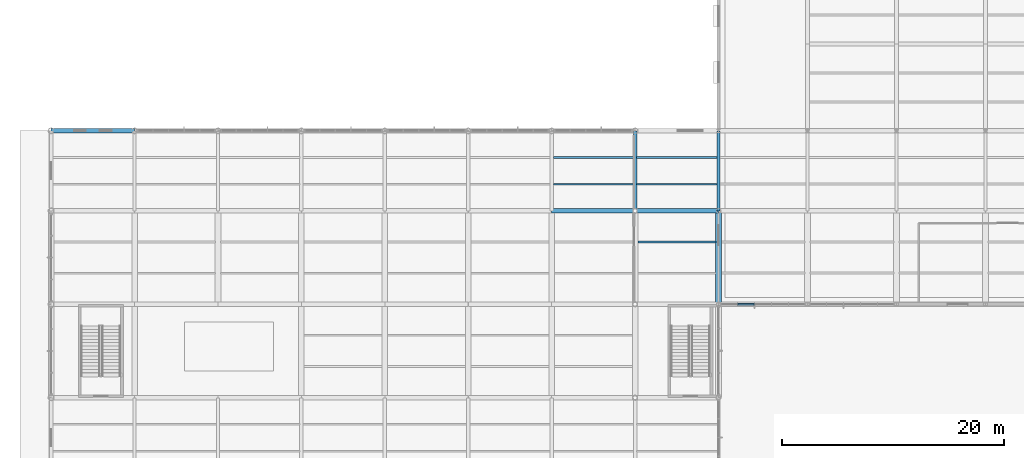
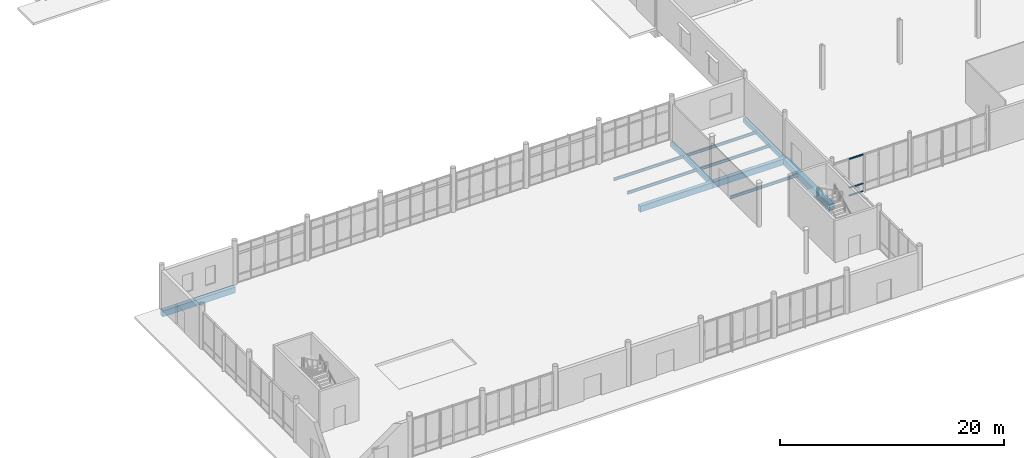
# One storey, part 19 of 82: 11 beams, 3 members, 1 element without a shape of its own.
"""IFC4 building model written with IfcOpenShell, lengths in metres."""

from ifc_helpers import new_model, si_unit, direction, frame, origin, origin_2d, place, context, subcontext, project, spatial, rectangle, i_section, extrude, material, layer, layer_set, material_profile, profile_set, type_object, element, aggregate, save


model = new_model("IFC4")

# Units and contexts
model_context = context("Model", 3, precision=1e-05, world=origin(), true_north=direction((0.0, 1.0)))
body_context = subcontext(model_context, "Body", "Model", "MODEL_VIEW")
ifc_project = project(units=[si_unit("LENGTHUNIT", "METRE"), si_unit("AREAUNIT", "SQUARE_METRE"), si_unit("VOLUMEUNIT", "CUBIC_METRE"), si_unit("PLANEANGLEUNIT", "RADIAN"), si_unit("MASSUNIT", "GRAM", prefix="KILO")], contexts=[model_context])

# Site, building, storey
site_placement = place(None, origin())
site = spatial("IfcSite", under=ifc_project, at=site_placement, CompositionType="ELEMENT")
building_placement = place(site_placement, origin())
building = spatial("IfcBuilding", under=site, at=building_placement, Name="Yukiwa Park Conservatory and Herbarium", CompositionType="ELEMENT")
storey_placement = place(building_placement, origin())
storey = spatial("IfcBuildingStorey", under=building, at=storey_placement, Name="L00", CompositionType="ELEMENT", Elevation=0.0)

# Beams
ifc_material_1 = material(Name="Steel Q355D", Category="steel")
ifc_material_profile_1 = material_profile(ifc_material_1, i_section(OverallWidth=0.14892578125, OverallDepth=0.298095703125, WebThickness=0.005615234375, FlangeThickness=0.008056640625, FilletRadius=0.012939453125, at=origin_2d()), Name="HN 298x149x5.5x8")
ifc_profile_set_1 = profile_set([ifc_material_profile_1], Name="Steel Q355D")
beam_type_1 = type_object("IfcBeamType", Name="BM-JST-HN298", PredefinedType="JOIST", material=ifc_profile_set_1)
for number, where, z_axis, x_axis, name in (
    (1, (45.14599609375, 26.39990234375, -0.408935546875), (1.0, 0.0, 0.0), (0.0, 1.0, 0.0), "L00 composite floor joist 71"),
    (2, (45.14599609375, 28.800048828125, -0.408935546875), (1.0, 0.0, 0.0), (0.0, 1.0, 0.0), "L00 composite floor joist 72"),
):
    element("IfcBeam", number, at=place(storey_placement, frame(where, z_axis=z_axis, x_axis=x_axis)), inside=storey, type_object=beam_type_1, Name=name, PredefinedType="JOIST", context=body_context, shape_type="SweptSolid", body=[
        extrude(i_section(OverallWidth=0.14892578125, OverallDepth=0.298095703125, WebThickness=0.005615234375, FlangeThickness=0.008056640625, FilletRadius=0.012939453125, at=origin_2d()), origin(), (0.0, 0.0, 1.0), 7.2080078125),
    ])
beam_1_placement = place(storey_placement, frame((52.74609375, 21.199951171875, -0.408935546875), z_axis=(1.0, 0.0, 0.0), x_axis=(0.0, 1.0, 0.0)))
element("IfcBeam", 3, at=beam_1_placement, inside=storey, type_object=beam_type_1, Name="L00 composite floor joist 82", PredefinedType="JOIST", context=body_context, shape_type="SweptSolid", body=[
    extrude(i_section(OverallWidth=0.14892578125, OverallDepth=0.298095703125, WebThickness=0.005615234375, FlangeThickness=0.008056640625, FilletRadius=0.012939453125, at=origin_2d()), origin(), (0.0, 0.0, 1.0), 7.0078125),
])
for number, where, z_axis, x_axis, name in (
    (4, (52.64599609375, 26.39990234375, -0.408935546875), (1.0, 0.0, 0.0), (0.0, 1.0, 0.0), "L00 composite floor joist 83"),
    (5, (52.64599609375, 28.800048828125, -0.408935546875), (1.0, 0.0, 0.0), (0.0, 1.0, 0.0), "L00 composite floor joist 84"),
):
    element("IfcBeam", number, at=place(storey_placement, frame(where, z_axis=z_axis, x_axis=x_axis)), inside=storey, type_object=beam_type_1, Name=name, PredefinedType="JOIST", context=body_context, shape_type="SweptSolid", body=[
        extrude(i_section(OverallWidth=0.14892578125, OverallDepth=0.298095703125, WebThickness=0.005615234375, FlangeThickness=0.008056640625, FilletRadius=0.012939453125, at=origin_2d()), origin(), (0.0, 0.0, 1.0), 7.2080078125),
    ])
ifc_material_2 = material(Name="Concrete C40", Category="concrete")
ifc_material_profile_2 = material_profile(ifc_material_2, rectangle(XDim=0.300048828125, YDim=0.5, at=origin_2d()), Name="RC 300x500")
ifc_profile_set_2 = profile_set([ifc_material_profile_2], Name="Concrete C40")
beam_type_2 = type_object("IfcBeamType", Name="BM-RC-300X500", PredefinedType="BEAM", material=ifc_profile_set_2)
for number, where, z_axis, x_axis, name in (
    (6, (52.5, 24.006103515625, -0.510009765625), (0.0, 1.0, 0.0), (-1.0, 0.0, 0.0), "L00 grid girder Y-204"),
    (7, (60.0, 24.006103515625, -0.510009765625), (0.0, 1.0, 0.0), (-1.0, 0.0, 0.0), "L00 grid girder Y-212"),
):
    element("IfcBeam", number, at=place(storey_placement, frame(where, z_axis=z_axis, x_axis=x_axis)), inside=storey, type_object=beam_type_2, Name=name, PredefinedType="BEAM", context=body_context, shape_type="SweptSolid", body=[
        extrude(rectangle(XDim=0.300048828125, YDim=0.5, at=origin_2d()), origin(), (0.0, 0.0, 1.0), 7.18798828125),
    ])
ifc_material_3 = material(Name="Concrete C40", Category="concrete")
ifc_material_profile_3 = material_profile(ifc_material_3, rectangle(XDim=0.39990234375, YDim=0.64990234375, at=origin_2d()), Name="RC 400x650")
ifc_profile_set_3 = profile_set([ifc_material_profile_3], Name="Concrete C40")
beam_type_3 = type_object("IfcBeamType", Name="BM-RC-400X650", PredefinedType="BEAM", material=ifc_profile_set_3)
for number, where, z_axis, x_axis, name in (
    (8, (45.006103515625, 24.0, -0.5849609375), (1.0, 0.0, 0.0), (0.0, 1.0, 0.0), "L00 grid beam X-37"),
    (9, (52.506103515625, 24.0, -0.5849609375), (1.0, 0.0, 0.0), (0.0, 1.0, 0.0), "L00 grid beam X-38"),
    (10, (0.006103515625, 31.199951171875, -0.5849609375), (1.0, 0.0, 0.0), (0.0, 1.0, 0.0), "L00 grid beam X-45"),
):
    element("IfcBeam", number, at=place(storey_placement, frame(where, z_axis=z_axis, x_axis=x_axis)), inside=storey, type_object=beam_type_3, Name=name, PredefinedType="BEAM", context=body_context, shape_type="SweptSolid", body=[
        extrude(rectangle(XDim=0.39990234375, YDim=0.64990234375, at=origin_2d()), origin(), (0.0, 0.0, 1.0), 7.48779296875),
    ])
ifc_material_4 = material(Name="Concrete C40", Category="concrete")
ifc_material_profile_4 = material_profile(ifc_material_4, rectangle(XDim=0.5, YDim=0.699951171875, at=origin_2d()), Name="RC 500x700")
ifc_profile_set_4 = profile_set([ifc_material_profile_4], Name="Concrete C40")
beam_type_4 = type_object("IfcBeamType", Name="BM-RC-500X700", PredefinedType="BEAM", material=ifc_profile_set_4)
beam_2_placement = place(storey_placement, frame((60.0, 15.60595703125, -0.610107421875), z_axis=(0.0, 1.0, 0.0), x_axis=(-1.0, 0.0, 0.0)))
element("IfcBeam", 11, at=beam_2_placement, inside=storey, type_object=beam_type_4, Name="L00 grid girder Y-211", PredefinedType="BEAM", context=body_context, shape_type="SweptSolid", body=[
    extrude(rectangle(XDim=0.5, YDim=0.699951171875, at=origin_2d()), origin(), (0.0, 0.0, 1.0), 8.387939453125),
])

# Curtain wall, members
ifc_material_5 = material(Name="Triple Low-E Insulated Glass", Category="glass")
ifc_layer = layer(ifc_material_5, 0.176025390625)
ifc_layer_set = layer_set([ifc_layer], Name="Triple Low-E Insulated Glass")
curtain_wall_type = type_object("IfcCurtainWallType", Name="CW-CONCOURSE-1600", PredefinedType="NOTDEFINED", material=ifc_layer_set)
curtain_wall_placement = place(storey_placement, origin())
curtain_wall = element("IfcCurtainWall", 12, at=curtain_wall_placement, inside=storey, type_object=curtain_wall_type, Name="L00 unitised curtain wall CW-L00-007", PredefinedType="NOTDEFINED")
ifc_material_6 = material(Name="Anodised Aluminium", Category="aluminium")
member_type = type_object("IfcMemberType", Name="MB-CW-TRN-80X150", PredefinedType="USERDEFINED", material=ifc_material_6)
member_1_placement = place(storey_placement, frame((62.47119140625, 15.60009765625, 0.0), z_axis=(0.0, 0.0, 1.0), x_axis=(1.0, 0.0, 0.0)))
member_1 = element("IfcMember", 13, at=member_1_placement, type_object=member_type, Name="CW-L00-007 transom 2.1", ObjectType="TRANSOM", PredefinedType="USERDEFINED", context=body_context, shape_type="SweptSolid", body=[
    extrude(rectangle(XDim=1.448974609375, YDim=0.14990234375, at=origin_2d()), origin(), (0.0, 0.0, 1.0), 0.080078125),
])
member_2_placement = place(storey_placement, frame((62.47119140625, 15.60009765625, 0.85986328125), z_axis=(0.0, 0.0, 1.0), x_axis=(1.0, 0.0, 0.0)))
member_2 = element("IfcMember", 14, at=member_2_placement, type_object=member_type, Name="CW-L00-007 transom 2.2", ObjectType="TRANSOM", PredefinedType="USERDEFINED", context=body_context, shape_type="SweptSolid", body=[
    extrude(rectangle(XDim=1.448974609375, YDim=0.14990234375, at=origin_2d()), origin(), (0.0, 0.0, 1.0), 0.080078125),
])
member_3_placement = place(storey_placement, frame((62.47119140625, 15.60009765625, 3.97998046875), z_axis=(0.0, 0.0, 1.0), x_axis=(1.0, 0.0, 0.0)))
member_3 = element("IfcMember", 15, at=member_3_placement, type_object=member_type, Name="CW-L00-007 transom 2.3", ObjectType="TRANSOM", PredefinedType="USERDEFINED", context=body_context, shape_type="SweptSolid", body=[
    extrude(rectangle(XDim=1.448974609375, YDim=0.14990234375, at=origin_2d()), origin(), (0.0, 0.0, 1.0), 0.080078125),
])
aggregate(curtain_wall, [member_1, member_2, member_3])

save(model, "model.ifc")
